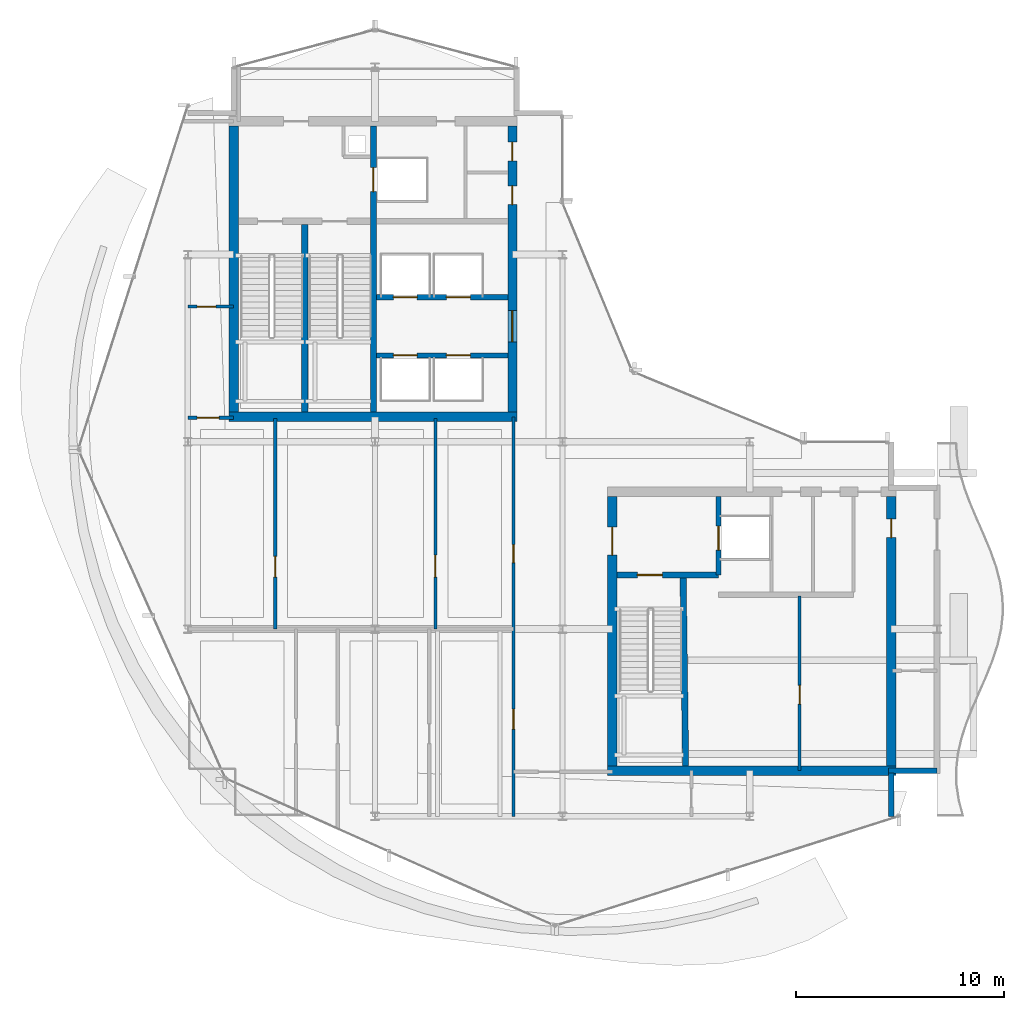
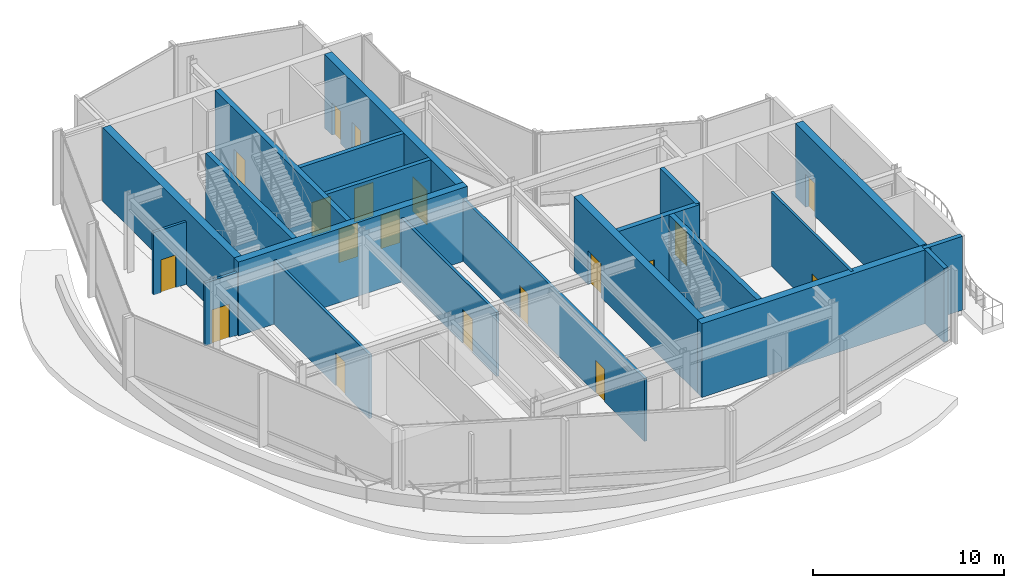
# One storey, part 17 of 23: 21 walls, 19 doors, 19 openings.
"""IFC4 building model written with IfcOpenShell, lengths in metres."""

import ifcopenshell
import ifcopenshell.guid

model = None  # the IFC model being written
_history = None  # IfcOwnerHistory: only IFC2X3 demands one
_inside = {}  # id of a spatial element -> (the spatial element, [elements in it])
_under = {}  # id of a project, library or spatial element -> (it, [spatial elements below it])
_declared = {}  # id of a project -> (the project, [libraries it declares])
_typed = {}  # id of a type object -> (the type object, [elements of that type])
_made_of = {}  # id of a material, layer set ... -> (it, [elements and type objects made of it])


def new_model(schema):
    """Start an empty IFC model of exactly this schema.

    Asked for "IFC4X3", IfcOpenShell would pick the latest addendum, in which some entities
    have other attributes; the version numbers below select the first issue.
    IFC2X3 requires an IfcOwnerHistory on every rooted entity: one is made here for all.
    """
    global model, _history
    if schema == "IFC4X3":
        model = ifcopenshell.file(schema_version=(4, 3, 0, 0))
    else:
        model = ifcopenshell.file(schema=schema)
    _inside.clear()
    _under.clear()
    _declared.clear()
    _typed.clear()
    _made_of.clear()
    _history = None
    if model.schema == "IFC2X3":
        org = make("IfcOrganization", Name="unknown")
        user = make(
            "IfcPersonAndOrganization",
            ThePerson=make("IfcPerson", FamilyName="unknown"),
            TheOrganization=org,
        )
        app = make(
            "IfcApplication",
            ApplicationDeveloper=org,
            Version="unknown",
            ApplicationFullName="unknown",
            ApplicationIdentifier="unknown",
        )
        _history = make(
            "IfcOwnerHistory",
            OwningUser=user,
            OwningApplication=app,
            ChangeAction="ADDED",
            CreationDate=0,
        )
    return model


def make(cls, **values):
    """One entity of the class cls with the attributes given. An attribute that is None is left unset."""
    return model.create_entity(
        cls, **{name: value for name, value in values.items() if value is not None}
    )


def rooted(cls, **values):
    """An entity with a GlobalId (a new one), such as an element, a storey or a relation."""
    return make(cls, GlobalId=ifcopenshell.guid.new(), OwnerHistory=_history, **values)


def si_unit(unit_type, name, prefix=None):
    """IfcSIUnit, for example si_unit("LENGTHUNIT", "METRE", prefix="MILLI")."""
    return make("IfcSIUnit", UnitType=unit_type, Prefix=prefix, Name=name)


def assignment(units):
    """IfcUnitAssignment: the units of a project."""
    return None if units is None else make("IfcUnitAssignment", Units=units)


def point(xyz):
    """IfcCartesianPoint."""
    return None if xyz is None else make("IfcCartesianPoint", Coordinates=xyz)


def direction(xyz):
    """IfcDirection."""
    return None if xyz is None else make("IfcDirection", DirectionRatios=xyz)


def frame(location, z_axis=None, x_axis=None):
    """IfcAxis2Placement3D, a coordinate frame: its origin and axes. An axis left out is left unset."""
    return make(
        "IfcAxis2Placement3D",
        Location=point(location),
        Axis=direction(z_axis),
        RefDirection=direction(x_axis),
    )


def frame_2d(location, x_axis=None):
    """IfcAxis2Placement2D, a coordinate frame in the plane: its origin and x axis."""
    return make(
        "IfcAxis2Placement2D", Location=point(location), RefDirection=direction(x_axis)
    )


def origin():
    """The frame at (0, 0, 0) with its axes left unset."""
    return frame((0.0, 0.0, 0.0))


def place(relative_to, where):
    """IfcLocalPlacement: puts the frame where relative to a parent placement (None: the world)."""
    return make(
        "IfcLocalPlacement", PlacementRelTo=relative_to, RelativePlacement=where
    )


def context(
    kind, dimensions, precision=None, world=None, true_north=None, identifier=None
):
    """IfcGeometricRepresentationContext, for example the 3D "Model" context."""
    return make(
        "IfcGeometricRepresentationContext",
        ContextIdentifier=identifier,
        ContextType=kind,
        CoordinateSpaceDimension=dimensions,
        Precision=precision,
        WorldCoordinateSystem=world,
        TrueNorth=true_north,
    )


def subcontext(parent, identifier, kind, view, scale=None):
    """IfcGeometricRepresentationSubContext, for example "Body" below "Model"."""
    return make(
        "IfcGeometricRepresentationSubContext",
        ContextIdentifier=identifier,
        ContextType=kind,
        ParentContext=parent,
        TargetScale=scale,
        TargetView=view,
    )


def project(units=None, contexts=None):
    """IfcProject with its units and contexts."""
    return rooted(
        "IfcProject",
        Name="project",
        RepresentationContexts=contexts,
        UnitsInContext=assignment(units),
    )


def spatial(cls, under=None, at=None, **own):
    """A site, building, storey or space (cls), placed at a placement, below another one or the project."""
    s = rooted(cls, ObjectPlacement=at, **own)
    if under is not None:
        _under.setdefault(under.id(), (under, []))[1].append(s)
    return s


def profile(cls, at=None, kind="AREA", **sizes):
    """A parametric profile (cls). Its sizes go by their IFC names, for example OverallWidth=200.0."""
    return make(cls, ProfileType=kind, Position=at, **sizes)


def rectangle(**sizes):
    """IfcRectangleProfileDef."""
    return profile("IfcRectangleProfileDef", **sizes)


def extrude(swept, where, along, depth):
    """IfcExtrudedAreaSolid: the profile swept, set in the frame where, extruded along a direction by depth."""
    return make(
        "IfcExtrudedAreaSolid",
        SweptArea=swept,
        Position=where,
        ExtrudedDirection=direction(along),
        Depth=depth,
    )


def shape(context_of_items, identifier, shape_type, items):
    """IfcShapeRepresentation: the items that make up one representation, for example the "Body"."""
    return make(
        "IfcShapeRepresentation",
        ContextOfItems=context_of_items,
        RepresentationIdentifier=identifier,
        RepresentationType=shape_type,
        Items=items,
    )


def material(Name=None, Category=None):
    """IfcMaterial."""
    return make("IfcMaterial", Name=Name, Category=Category)


def layer(
    of_material, thickness, ventilated=None, Name=None, Category=None, Priority=None
):
    """IfcMaterialLayer: one layer of a wall or slab, of a material (None: an air gap)."""
    return make(
        "IfcMaterialLayer",
        Material=of_material,
        LayerThickness=thickness,
        IsVentilated=ventilated,
        Name=Name,
        Category=Category,
        Priority=Priority,
    )


def layer_set(layers, Name=None):
    """IfcMaterialLayerSet."""
    return make("IfcMaterialLayerSet", MaterialLayers=layers, LayerSetName=Name)


def made_of(thing, what):
    """Note that an element or type object is made of a material, layer set ...; save() writes the relation."""
    if what is not None:
        _made_of.setdefault(what.id(), (what, []))[1].append(thing)
    return thing


def type_object(cls, material=None, **own):
    """A type object (cls), such as IfcWallType, which elements share."""
    return made_of(rooted(cls, **own), material)


def element(
    cls,
    number,
    at=None,
    inside=None,
    cuts=None,
    type_object=None,
    material=None,
    context=None,
    identifier="Body",
    shape_type=None,
    held_by="IfcProductDefinitionShape",
    body=None,
    shapes=None,
    **own,
):
    """One element of the class cls, such as IfcWall. Its Tag is "e" and its number.

    at: its placement. inside: the storey or other place that contains it. cuts: it is an
    opening in that element (IfcRelVoidsElement). A single representation is given by context,
    identifier, shape_type and body (its items); several are given by shapes. held_by: the class
    of the entity that holds the representations. save() writes the other relations.
    """
    e = rooted(cls, Tag="e%d" % number, ObjectPlacement=at, **own)
    if body is not None:
        shapes = [shape(context, identifier, shape_type, body)]
    if shapes is not None:
        e.Representation = make(held_by, Representations=shapes)
    if inside is not None:
        _inside.setdefault(inside.id(), (inside, []))[1].append(e)
    if cuts is not None:
        rooted(
            "IfcRelVoidsElement", RelatingBuildingElement=cuts, RelatedOpeningElement=e
        )
    if type_object is not None:
        _typed.setdefault(type_object.id(), (type_object, []))[1].append(e)
    return made_of(e, material)


def fill(opening, filler):
    """IfcRelFillsElement: the door or window that sits in an opening."""
    return rooted(
        "IfcRelFillsElement",
        RelatingOpeningElement=opening,
        RelatedBuildingElement=filler,
    )


def aggregate(whole, parts):
    """IfcRelAggregates: a whole, such as a stair, and the parts it consists of."""
    return rooted("IfcRelAggregates", RelatingObject=whole, RelatedObjects=parts)


def save(model, path):
    """Write the relations noted so far, then the file.

    IfcRelAggregates (storeys below a building ...), IfcRelContainedInSpatialStructure (elements
    in a storey), IfcRelDefinesByType, IfcRelAssociatesMaterial and IfcRelDeclares: one each for
    every whole, place, type object, material and project.
    """
    for whole, parts in _under.values():
        aggregate(whole, parts)
    for where, things in _inside.values():
        rooted(
            "IfcRelContainedInSpatialStructure",
            RelatedElements=things,
            RelatingStructure=where,
        )
    for kind, things in _typed.values():
        rooted("IfcRelDefinesByType", RelatedObjects=things, RelatingType=kind)
    for what, things in _made_of.values():
        rooted("IfcRelAssociatesMaterial", RelatedObjects=things, RelatingMaterial=what)
    for by, libraries in _declared.values():
        rooted("IfcRelDeclares", RelatingContext=by, RelatedDefinitions=libraries)
    model.write(path)


model = new_model("IFC4")

# Units and contexts
model_context = context("Model", 3, precision=1e-05, world=origin(), true_north=direction((0.0, 1.0)))
body_context = subcontext(model_context, "Body", "Model", "MODEL_VIEW")
ifc_project = project(units=[si_unit("LENGTHUNIT", "METRE"), si_unit("AREAUNIT", "SQUARE_METRE"), si_unit("VOLUMEUNIT", "CUBIC_METRE"), si_unit("PLANEANGLEUNIT", "RADIAN"), si_unit("MASSUNIT", "GRAM", prefix="KILO")], contexts=[model_context])

# Site, building, storey
site_placement = place(None, origin())
site = spatial("IfcSite", under=ifc_project, at=site_placement, CompositionType="ELEMENT")
building_placement = place(site_placement, origin())
building = spatial("IfcBuilding", under=site, at=building_placement, Name="Solvaryn Broadcast Tower", CompositionType="ELEMENT")
storey_placement = place(building_placement, frame((0.0, 0.0, 235.800048828125)))
storey = spatial("IfcBuildingStorey", under=building, at=storey_placement, Name="L59", CompositionType="ELEMENT", Elevation=235.800048828125)

# Walls
ifc_material_1 = material(Name="Concrete f'c 70 MPa", Category="concrete")
ifc_layer_1 = layer(ifc_material_1, 0.449951171875)
ifc_layer_set_1 = layer_set([ifc_layer_1], Name="CW-SHEAR-450")
wall_type_1 = type_object("IfcWallType", Name="CW-SHEAR-450", PredefinedType="SHEAR", material=ifc_layer_set_1)
wall_1_placement = place(storey_placement, frame((10.97509765625, 28.199951171875, 0.0), z_axis=(0.0, 0.0, 1.0), x_axis=(1.0, 0.0, 0.0)))
element("IfcWall", 1, at=wall_1_placement, inside=storey, type_object=wall_type_1, Name="L59 West Core South Shear Wall", PredefinedType="SHEAR", context=body_context, shape_type="SweptSolid", body=[
    extrude(rectangle(XDim=13.849853515625, YDim=0.449951171875, at=frame_2d((6.9248046875, 0.0))), origin(), (0.0, 0.0, 1.0), 4.719970703125),
])
wall_2_placement = place(storey_placement, frame((11.199951171875, 42.175048828125, 0.0), z_axis=(0.0, 0.0, 1.0), x_axis=(0.0, -1.0, 0.0)))
element("IfcWall", 2, at=wall_2_placement, inside=storey, type_object=wall_type_1, Name="L59 West Core West Shear Wall", PredefinedType="SHEAR", context=body_context, shape_type="SweptSolid", body=[
    extrude(rectangle(XDim=13.75, YDim=0.449951171875, at=frame_2d((6.875, 0.0))), origin(), (0.0, 0.0, 1.0), 4.719970703125),
])

# Wall, openings, doors
wall_3_placement = place(storey_placement, frame((24.60009765625, 28.425048828125, 0.0), z_axis=(0.0, 0.0, 1.0), x_axis=(0.0, 1.0, 0.0)))
wall_3 = element("IfcWall", 3, at=wall_3_placement, inside=storey, type_object=wall_type_1, Name="L59 West Core East Shear Wall", PredefinedType="SHEAR", context=body_context, shape_type="SweptSolid", body=[
    extrude(rectangle(XDim=13.75, YDim=0.449951171875, at=frame_2d((6.875, 0.0))), origin(), (0.0, 0.0, 1.0), 4.719970703125),
])
opening_1_placement = place(wall_3_placement, frame((3.375, 0.0, 0.0)))
opening_1 = element("IfcOpeningElement", 4, at=opening_1_placement, cuts=wall_3, Name="Opening FD60A", PredefinedType="OPENING", context=body_context, shape_type="SweptSolid", body=[
    extrude(rectangle(XDim=1.5, YDim=2.199951171875, at=frame_2d((0.75, 1.10009765625))), frame((0.0, 0.235107421875, 0.0), z_axis=(0.0, -1.0, 0.0), x_axis=(1.0, 0.0, 0.0)), (0.0, 0.0, 1.0), 0.469970703125),
])
opening_2_placement = place(wall_3_placement, frame((9.97509765625, 0.0, 0.0)))
opening_2 = element("IfcOpeningElement", 5, at=opening_2_placement, cuts=wall_3, Name="Opening FD60C", PredefinedType="OPENING", context=body_context, shape_type="SweptSolid", body=[
    extrude(rectangle(XDim=0.89990234375, YDim=2.10009765625, at=frame_2d((0.449951171875, 1.050048828125))), frame((0.0, 0.235107421875, 0.0), z_axis=(0.0, -1.0, 0.0), x_axis=(1.0, 0.0, 0.0)), (0.0, 0.0, 1.0), 0.469970703125),
])
opening_3_placement = place(wall_3_placement, frame((12.074951171875, 0.0, 0.0)))
opening_3 = element("IfcOpeningElement", 6, at=opening_3_placement, cuts=wall_3, Name="Opening FD60C", PredefinedType="OPENING", context=body_context, shape_type="SweptSolid", body=[
    extrude(rectangle(XDim=0.89990234375, YDim=2.10009765625, at=frame_2d((0.449951171875, 1.050048828125))), frame((0.0, 0.235107421875, 0.0), z_axis=(0.0, -1.0, 0.0), x_axis=(1.0, 0.0, 0.0)), (0.0, 0.0, 1.0), 0.469970703125),
])
ifc_material_2 = material(Name="Flush Acoustic Steel and Timber Door Assembly", Category="steel")
door_type_1 = type_object("IfcDoorType", Name="FD60-CORR-1500X2200", OperationType="NOTDEFINED", PredefinedType="DOOR", material=ifc_material_2)
door_1_placement = place(opening_1_placement, origin())
door_1 = element("IfcDoor", 7, at=door_1_placement, inside=storey, type_object=door_type_1, Name="L59 West Elevator Lobby Corridor Door", OperationType="DOUBLE_DOOR_SINGLE_SWING", OverallHeight=2.199951171875, OverallWidth=1.5, PredefinedType="DOOR", context=body_context, shape_type="SweptSolid", body=[
    extrude(rectangle(XDim=1.5, YDim=2.199951171875, at=frame_2d((0.75, 1.10009765625))), frame((0.0, 0.02490234375, 0.0), z_axis=(0.0, -1.0, 0.0), x_axis=(1.0, 0.0, 0.0)), (0.0, 0.0, 1.0), 0.050048828125),
])
fill(opening_1, door_1)
ifc_material_3 = material(Name="Flush Acoustic Steel and Timber Door Assembly", Category="steel")
door_type_2 = type_object("IfcDoorType", Name="FD60-SERV-900X2100", OperationType="NOTDEFINED", PredefinedType="DOOR", material=ifc_material_3)
door_2_placement = place(opening_2_placement, origin())
door_2 = element("IfcDoor", 8, at=door_2_placement, inside=storey, type_object=door_type_2, Name="L59 West Core Service Door 1", OperationType="SINGLE_SWING_LEFT", OverallHeight=2.10009765625, OverallWidth=0.89990234375, PredefinedType="DOOR", context=body_context, shape_type="SweptSolid", body=[
    extrude(rectangle(XDim=0.89990234375, YDim=2.10009765625, at=frame_2d((0.449951171875, 1.050048828125))), frame((0.0, 0.02490234375, 0.0), z_axis=(0.0, -1.0, 0.0), x_axis=(1.0, 0.0, 0.0)), (0.0, 0.0, 1.0), 0.050048828125),
])
fill(opening_2, door_2)
door_3_placement = place(opening_3_placement, origin())
door_3 = element("IfcDoor", 9, at=door_3_placement, inside=storey, type_object=door_type_2, Name="L59 West Core Janitor Door", OperationType="SINGLE_SWING_RIGHT", OverallHeight=2.10009765625, OverallWidth=0.89990234375, PredefinedType="DOOR", context=body_context, shape_type="SweptSolid", body=[
    extrude(rectangle(XDim=0.89990234375, YDim=2.10009765625, at=frame_2d((0.449951171875, 1.050048828125))), frame((0.0, 0.02490234375, 0.0), z_axis=(0.0, -1.0, 0.0), x_axis=(1.0, 0.0, 0.0)), (0.0, 0.0, 1.0), 0.050048828125),
])
fill(opening_3, door_3)

# Wall
wall_4_placement = place(storey_placement, frame((29.175048828125, 11.199951171875, 0.0), z_axis=(0.0, 0.0, 1.0), x_axis=(1.0, 0.0, 0.0)))
element("IfcWall", 10, at=wall_4_placement, inside=storey, type_object=wall_type_1, Name="L59 East Core South Shear Wall", PredefinedType="SHEAR", context=body_context, shape_type="SweptSolid", body=[
    extrude(rectangle(XDim=13.849853515625, YDim=0.449951171875, at=frame_2d((6.9248046875, 0.0))), origin(), (0.0, 0.0, 1.0), 4.719970703125),
])

# Wall, opening, door
wall_5_placement = place(storey_placement, frame((29.39990234375, 24.375, 0.0), z_axis=(0.0, 0.0, 1.0), x_axis=(0.0, -1.0, 0.0)))
wall_5 = element("IfcWall", 11, at=wall_5_placement, inside=storey, type_object=wall_type_1, Name="L59 East Core West Shear Wall", PredefinedType="SHEAR", context=body_context, shape_type="SweptSolid", body=[
    extrude(rectangle(XDim=12.949951171875, YDim=0.449951171875, at=frame_2d((6.47509765625, 0.0))), origin(), (0.0, 0.0, 1.0), 4.719970703125),
])
opening_4_placement = place(wall_5_placement, frame((1.47509765625, 0.0, 0.0)))
opening_4 = element("IfcOpeningElement", 12, at=opening_4_placement, cuts=wall_5, Name="Opening FD90B", PredefinedType="OPENING", context=body_context, shape_type="SweptSolid", body=[
    extrude(rectangle(XDim=1.35009765625, YDim=2.14990234375, at=frame_2d((0.675048828125, 1.074951171875))), frame((0.0, 0.235107421875, 0.0), z_axis=(0.0, -1.0, 0.0), x_axis=(1.0, 0.0, 0.0)), (0.0, 0.0, 1.0), 0.469970703125),
])
ifc_material_4 = material(Name="Flush Acoustic Steel and Timber Door Assembly", Category="steel")
door_type_3 = type_object("IfcDoorType", Name="FD90-LOBBY-1350X2150", OperationType="NOTDEFINED", PredefinedType="DOOR", material=ifc_material_4)
door_4_placement = place(opening_4_placement, origin())
door_4 = element("IfcDoor", 13, at=door_4_placement, inside=storey, type_object=door_type_3, Name="L59 East FSAE Lobby Door", OperationType="SINGLE_SWING_RIGHT", OverallHeight=2.14990234375, OverallWidth=1.35009765625, PredefinedType="DOOR", context=body_context, shape_type="SweptSolid", body=[
    extrude(rectangle(XDim=1.35009765625, YDim=2.14990234375, at=frame_2d((0.675048828125, 1.074951171875))), frame((0.0, 0.02490234375, 0.0), z_axis=(0.0, -1.0, 0.0), x_axis=(1.0, 0.0, 0.0)), (0.0, 0.0, 1.0), 0.050048828125),
])
fill(opening_4, door_4)

wall_6_placement = place(storey_placement, frame((42.800048828125, 11.425048828125, 0.0), z_axis=(0.0, 0.0, 1.0), x_axis=(0.0, 1.0, 0.0)))
wall_6 = element("IfcWall", 14, at=wall_6_placement, inside=storey, type_object=wall_type_1, Name="L59 East Core East Shear Wall", PredefinedType="SHEAR", context=body_context, shape_type="SweptSolid", body=[
    extrude(rectangle(XDim=12.949951171875, YDim=0.449951171875, at=frame_2d((6.47509765625, 0.0))), origin(), (0.0, 0.0, 1.0), 4.719970703125),
])
opening_5_placement = place(wall_6_placement, frame((10.97509765625, 0.0, 0.0)))
opening_5 = element("IfcOpeningElement", 15, at=opening_5_placement, cuts=wall_6, Name="Opening FD60C", PredefinedType="OPENING", context=body_context, shape_type="SweptSolid", body=[
    extrude(rectangle(XDim=0.89990234375, YDim=2.10009765625, at=frame_2d((0.449951171875, 1.050048828125))), frame((0.0, 0.235107421875, 0.0), z_axis=(0.0, -1.0, 0.0), x_axis=(1.0, 0.0, 0.0)), (0.0, 0.0, 1.0), 0.469970703125),
])
door_5_placement = place(opening_5_placement, origin())
door_5 = element("IfcDoor", 16, at=door_5_placement, inside=storey, type_object=door_type_2, Name="L59 Upper East Studio Door", OperationType="SINGLE_SWING_RIGHT", OverallHeight=2.10009765625, OverallWidth=0.89990234375, PredefinedType="DOOR", context=body_context, shape_type="SweptSolid", body=[
    extrude(rectangle(XDim=0.89990234375, YDim=2.10009765625, at=frame_2d((0.449951171875, 1.050048828125))), frame((0.0, 0.02490234375, 0.0), z_axis=(0.0, -1.0, 0.0), x_axis=(1.0, 0.0, 0.0)), (0.0, 0.0, 1.0), 0.050048828125),
])
fill(opening_5, door_5)

# Walls
ifc_material_5 = material(Name="Concrete f'c 50 MPa", Category="concrete")
ifc_layer_2 = layer(ifc_material_5, 0.260009765625)
ifc_layer_set_2 = layer_set([ifc_layer_2], Name="EW-PIER-260")
wall_type_2 = type_object("IfcWallType", Name="EW-PIER-260", PredefinedType="SOLIDWALL", material=ifc_layer_set_2)
wall_7_placement = place(storey_placement, frame((42.800048828125, 9.0, 0.0), z_axis=(0.0, 0.0, 1.0), x_axis=(0.0, 1.0, 0.0)))
element("IfcWall", 17, at=wall_7_placement, inside=storey, type_object=wall_type_2, Name="L59 Notched Corner Pier Wall NSE1", PredefinedType="SOLIDWALL", context=body_context, shape_type="SweptSolid", body=[
    extrude(rectangle(XDim=2.080078125, YDim=0.260009765625, at=frame_2d((1.0400390625, 0.0))), origin(), (0.0, 0.0, 1.0), 4.719970703125),
])
wall_8_placement = place(storey_placement, frame((42.679931640625, 11.199951171875, 0.0), z_axis=(0.0, 0.0, 1.0), x_axis=(1.0, 0.0, 0.0)))
element("IfcWall", 18, at=wall_8_placement, inside=storey, type_object=wall_type_2, Name="L59 Notched Corner Pier Wall NSE2", PredefinedType="SOLIDWALL", context=body_context, shape_type="SweptSolid", body=[
    extrude(rectangle(XDim=2.320068359375, YDim=0.260009765625, at=frame_2d((1.16015625, 0.0))), origin(), (0.0, 0.0, 1.0), 4.719970703125),
])

# Wall, opening, door
ifc_material_6 = material(Name="Metal-Stud Service Core Partition")
ifc_layer_3 = layer(ifc_material_6, 0.14990234375)
ifc_layer_set_3 = layer_set([ifc_layer_3], Name="IW-PART-150")
wall_type_3 = type_object("IfcWallType", Name="IW-PART-150", PredefinedType="PARTITIONING", material=ifc_layer_set_3)
wall_9_placement = place(storey_placement, frame((38.39990234375, 11.199951171875, 0.0), z_axis=(0.0, 0.0, 1.0), x_axis=(0.0, 1.0, 0.0)))
wall_9 = element("IfcWall", 19, at=wall_9_placement, inside=storey, type_object=wall_type_3, Name="L59 Interior Partition IW-L59-RPM-V", PredefinedType="PARTITIONING", context=body_context, shape_type="SweptSolid", body=[
    extrude(rectangle(XDim=8.400146484375, YDim=0.14990234375, at=frame_2d((4.2001953125, 0.0))), origin(), (0.0, 0.0, 1.0), 4.719970703125),
])
opening_6_placement = place(wall_9_placement, frame((3.199951171875, 0.0, 0.0)))
opening_6 = element("IfcOpeningElement", 20, at=opening_6_placement, cuts=wall_9, Name="Opening FD60C", PredefinedType="OPENING", context=body_context, shape_type="SweptSolid", body=[
    extrude(rectangle(XDim=0.89990234375, YDim=2.10009765625, at=frame_2d((0.449951171875, 1.050048828125))), frame((0.0, 0.0849609375, 0.0), z_axis=(0.0, -1.0, 0.0), x_axis=(1.0, 0.0, 0.0)), (0.0, 0.0, 1.0), 0.169921875),
])
door_6_placement = place(opening_6_placement, origin())
door_6 = element("IfcDoor", 21, at=door_6_placement, inside=storey, type_object=door_type_2, Name="L59 Door DR-L59-RPM1", OperationType="SINGLE_SWING_RIGHT", OverallHeight=2.10009765625, OverallWidth=0.89990234375, PredefinedType="DOOR", context=body_context, shape_type="SweptSolid", body=[
    extrude(rectangle(XDim=0.89990234375, YDim=2.10009765625, at=frame_2d((0.449951171875, 1.050048828125))), frame((0.0, 0.02490234375, 0.0), z_axis=(0.0, -1.0, 0.0), x_axis=(1.0, 0.0, 0.0)), (0.0, 0.0, 1.0), 0.050048828125),
])
fill(opening_6, door_6)

wall_10_placement = place(storey_placement, frame((9.0, 33.5, 0.0), z_axis=(0.0, 0.0, 1.0), x_axis=(1.0, 0.0, 0.0)))
wall_10 = element("IfcWall", 22, at=wall_10_placement, inside=storey, type_object=wall_type_3, Name="L59 Interior Partition IW-L59-WM-M", PredefinedType="PARTITIONING", context=body_context, shape_type="SweptSolid", body=[
    extrude(rectangle(XDim=2.199951171875, YDim=0.14990234375, at=frame_2d((1.10009765625, 0.0))), origin(), (0.0, 0.0, 1.0), 4.0068359375),
])
opening_7_placement = place(wall_10_placement, frame((0.449951171875, 0.0, 0.0)))
opening_7 = element("IfcOpeningElement", 23, at=opening_7_placement, cuts=wall_10, Name="Opening FD60C", PredefinedType="OPENING", context=body_context, shape_type="SweptSolid", body=[
    extrude(rectangle(XDim=0.89990234375, YDim=2.10009765625, at=frame_2d((0.449951171875, 1.050048828125))), frame((0.0, 0.0849609375, 0.0), z_axis=(0.0, -1.0, 0.0), x_axis=(1.0, 0.0, 0.0)), (0.0, 0.0, 1.0), 0.169921875),
])
door_7_placement = place(opening_7_placement, origin())
door_7 = element("IfcDoor", 24, at=door_7_placement, inside=storey, type_object=door_type_2, Name="L59 Door DR-L59-WM1", OperationType="SINGLE_SWING_RIGHT", OverallHeight=2.10009765625, OverallWidth=0.89990234375, PredefinedType="DOOR", context=body_context, shape_type="SweptSolid", body=[
    extrude(rectangle(XDim=0.89990234375, YDim=2.10009765625, at=frame_2d((0.449951171875, 1.050048828125))), frame((0.0, 0.02490234375, 0.0), z_axis=(0.0, -1.0, 0.0), x_axis=(1.0, 0.0, 0.0)), (0.0, 0.0, 1.0), 0.050048828125),
])
fill(opening_7, door_7)

ifc_material_7 = material(Name="Metal-Stud Gypsum Office Partition")
ifc_layer_4 = layer(ifc_material_7, 0.159912109375)
ifc_layer_set_4 = layer_set([ifc_layer_4], Name="IW-PART-160")
wall_type_4 = type_object("IfcWallType", Name="IW-PART-160", PredefinedType="PARTITIONING", material=ifc_layer_set_4)
wall_11_placement = place(storey_placement, frame((9.0, 28.14990234375, 0.0), z_axis=(0.0, 0.0, 1.0), x_axis=(1.0, 0.0, 0.0)))
wall_11 = element("IfcWall", 25, at=wall_11_placement, inside=storey, type_object=wall_type_4, Name="L59 Interior Partition IW-L59-WM-S", PredefinedType="PARTITIONING", context=body_context, shape_type="SweptSolid", body=[
    extrude(rectangle(XDim=2.199951171875, YDim=0.159912109375, at=frame_2d((1.10009765625, 0.0))), origin(), (0.0, 0.0, 1.0), 4.0068359375),
])
opening_8_placement = place(wall_11_placement, frame((0.449951171875, 0.0, 0.0)))
opening_8 = element("IfcOpeningElement", 26, at=opening_8_placement, cuts=wall_11, Name="Opening ID03", PredefinedType="OPENING", context=body_context, shape_type="SweptSolid", body=[
    extrude(rectangle(XDim=1.050048828125, YDim=2.14990234375, at=frame_2d((0.52490234375, 1.074951171875))), frame((0.0, 0.090087890625, 0.0), z_axis=(0.0, -1.0, 0.0), x_axis=(1.0, 0.0, 0.0)), (0.0, 0.0, 1.0), 0.179931640625),
])
ifc_material_8 = material(Name="Flush Acoustic Steel and Timber Door Assembly", Category="steel")
door_type_4 = type_object("IfcDoorType", Name="ID-03-1050X2150", OperationType="NOTDEFINED", PredefinedType="DOOR", material=ifc_material_8)
door_8_placement = place(opening_8_placement, origin())
door_8 = element("IfcDoor", 27, at=door_8_placement, inside=storey, type_object=door_type_4, Name="L59 Door DR-L59-WM0", OperationType="SINGLE_SWING_LEFT", OverallHeight=2.14990234375, OverallWidth=1.050048828125, PredefinedType="DOOR", context=body_context, shape_type="SweptSolid", body=[
    extrude(rectangle(XDim=1.050048828125, YDim=2.14990234375, at=frame_2d((0.52490234375, 1.074951171875))), frame((0.0, 0.02490234375, 0.0), z_axis=(0.0, -1.0, 0.0), x_axis=(1.0, 0.0, 0.0)), (0.0, 0.0, 1.0), 0.050048828125),
])
fill(opening_8, door_8)

# Wall, openings, doors
wall_12_placement = place(storey_placement, frame((24.64990234375, 9.0, 0.0), z_axis=(0.0, 0.0, 1.0), x_axis=(0.0, 1.0, 0.0)))
wall_12 = element("IfcWall", 28, at=wall_12_placement, inside=storey, type_object=wall_type_4, Name="L59 Interior Partition IW-L59-SW-EB", PredefinedType="PARTITIONING", context=body_context, shape_type="SweptSolid", body=[
    extrude(rectangle(XDim=19.199951171875, YDim=0.159912109375, at=frame_2d((9.60009765625, 0.0))), origin(), (0.0, 0.0, 1.0), 4.0068359375),
])
opening_9_placement = place(wall_12_placement, frame((12.199951171875, 0.0, 0.0)))
opening_9 = element("IfcOpeningElement", 29, at=opening_9_placement, cuts=wall_12, Name="Opening ID07", PredefinedType="OPENING", context=body_context, shape_type="SweptSolid", body=[
    extrude(rectangle(XDim=0.860107421875, YDim=2.050048828125, at=frame_2d((0.43017578125, 1.02490234375))), frame((0.0, 0.090087890625, 0.0), z_axis=(0.0, -1.0, 0.0), x_axis=(1.0, 0.0, 0.0)), (0.0, 0.0, 1.0), 0.179931640625),
])
opening_10_placement = place(wall_12_placement, frame((4.199951171875, 0.0, 0.0)))
opening_10 = element("IfcOpeningElement", 30, at=opening_10_placement, cuts=wall_12, Name="Opening ID01", PredefinedType="OPENING", context=body_context, shape_type="SweptSolid", body=[
    extrude(rectangle(XDim=0.949951171875, YDim=2.10009765625, at=frame_2d((0.47509765625, 1.050048828125))), frame((0.0, 0.090087890625, 0.0), z_axis=(0.0, -1.0, 0.0), x_axis=(1.0, 0.0, 0.0)), (0.0, 0.0, 1.0), 0.179931640625),
])
ifc_material_9 = material(Name="Flush Acoustic Steel and Timber Door Assembly", Category="steel")
door_type_5 = type_object("IfcDoorType", Name="ID-01-950X2100", OperationType="NOTDEFINED", PredefinedType="DOOR", material=ifc_material_9)
door_9_placement = place(opening_10_placement, origin())
door_9 = element("IfcDoor", 31, at=door_9_placement, inside=storey, type_object=door_type_5, Name="L59 Door DR-L59-SW-ES", OperationType="SINGLE_SWING_RIGHT", OverallHeight=2.10009765625, OverallWidth=0.949951171875, PredefinedType="DOOR", context=body_context, shape_type="SweptSolid", body=[
    extrude(rectangle(XDim=0.949951171875, YDim=2.10009765625, at=frame_2d((0.47509765625, 1.050048828125))), frame((0.0, 0.02490234375, 0.0), z_axis=(0.0, -1.0, 0.0), x_axis=(1.0, 0.0, 0.0)), (0.0, 0.0, 1.0), 0.050048828125),
])
fill(opening_10, door_9)
ifc_material_10 = material(Name="Flush Acoustic Steel and Timber Door Assembly", Category="steel")
door_type_6 = type_object("IfcDoorType", Name="ID-07-860X2050", OperationType="NOTDEFINED", PredefinedType="DOOR", material=ifc_material_10)
door_10_placement = place(opening_9_placement, origin())
door_10 = element("IfcDoor", 32, at=door_10_placement, inside=storey, type_object=door_type_6, Name="L59 Door DR-L59-SW-EN", OperationType="SINGLE_SWING_LEFT", OverallHeight=2.050048828125, OverallWidth=0.860107421875, PredefinedType="DOOR", context=body_context, shape_type="SweptSolid", body=[
    extrude(rectangle(XDim=0.860107421875, YDim=2.050048828125, at=frame_2d((0.43017578125, 1.02490234375))), frame((0.0, 0.02490234375, 0.0), z_axis=(0.0, -1.0, 0.0), x_axis=(1.0, 0.0, 0.0)), (0.0, 0.0, 1.0), 0.050048828125),
])
fill(opening_9, door_10)

# Wall, opening, door
wall_13_placement = place(storey_placement, frame((13.199951171875, 18.0, 0.0), z_axis=(0.0, 0.0, 1.0), x_axis=(0.0, 1.0, 0.0)))
wall_13 = element("IfcWall", 33, at=wall_13_placement, inside=storey, type_object=wall_type_4, Name="L59 Interior Partition IW-L59-SWN-V1", PredefinedType="PARTITIONING", context=body_context, shape_type="SweptSolid", body=[
    extrude(rectangle(XDim=10.1298828125, YDim=0.159912109375, at=frame_2d((5.06494140625, 0.0))), origin(), (0.0, 0.0, 1.0), 4.0888671875),
])
opening_11_placement = place(wall_13_placement, frame((2.5, 0.0, 0.0)))
opening_11 = element("IfcOpeningElement", 34, at=opening_11_placement, cuts=wall_13, Name="Opening ID02", PredefinedType="OPENING", context=body_context, shape_type="SweptSolid", body=[
    extrude(rectangle(XDim=1.0, YDim=2.10009765625, at=frame_2d((0.5, 1.050048828125))), frame((0.0, 0.090087890625, 0.0), z_axis=(0.0, -1.0, 0.0), x_axis=(1.0, 0.0, 0.0)), (0.0, 0.0, 1.0), 0.179931640625),
])
ifc_material_11 = material(Name="Flush Acoustic Steel and Timber Door Assembly", Category="steel")
door_type_7 = type_object("IfcDoorType", Name="ID-02-1000X2100", OperationType="NOTDEFINED", PredefinedType="DOOR", material=ifc_material_11)
door_11_placement = place(opening_11_placement, origin())
door_11 = element("IfcDoor", 35, at=door_11_placement, inside=storey, type_object=door_type_7, Name="L59 Door DR-L59-SWN-1", OperationType="SINGLE_SWING_LEFT", OverallHeight=2.10009765625, OverallWidth=1.0, PredefinedType="DOOR", context=body_context, shape_type="SweptSolid", body=[
    extrude(rectangle(XDim=1.0, YDim=2.10009765625, at=frame_2d((0.5, 1.050048828125))), frame((0.0, 0.02490234375, 0.0), z_axis=(0.0, -1.0, 0.0), x_axis=(1.0, 0.0, 0.0)), (0.0, 0.0, 1.0), 0.050048828125),
])
fill(opening_11, door_11)

wall_14_placement = place(storey_placement, frame((20.89990234375, 18.0, 0.0), z_axis=(0.0, 0.0, 1.0), x_axis=(0.0, 1.0, 0.0)))
wall_14 = element("IfcWall", 36, at=wall_14_placement, inside=storey, type_object=wall_type_4, Name="L59 Interior Partition IW-L59-SWN-V2", PredefinedType="PARTITIONING", context=body_context, shape_type="SweptSolid", body=[
    extrude(rectangle(XDim=10.1298828125, YDim=0.159912109375, at=frame_2d((5.06494140625, 0.0))), origin(), (0.0, 0.0, 1.0), 4.0888671875),
])
opening_12_placement = place(wall_14_placement, frame((2.5, 0.0, 0.0)))
opening_12 = element("IfcOpeningElement", 37, at=opening_12_placement, cuts=wall_14, Name="Opening ID03", PredefinedType="OPENING", context=body_context, shape_type="SweptSolid", body=[
    extrude(rectangle(XDim=1.050048828125, YDim=2.14990234375, at=frame_2d((0.52490234375, 1.074951171875))), frame((0.0, 0.090087890625, 0.0), z_axis=(0.0, -1.0, 0.0), x_axis=(1.0, 0.0, 0.0)), (0.0, 0.0, 1.0), 0.179931640625),
])
door_12_placement = place(opening_12_placement, origin())
door_12 = element("IfcDoor", 38, at=door_12_placement, inside=storey, type_object=door_type_4, Name="L59 Door DR-L59-SWN-2", OperationType="SINGLE_SWING_RIGHT", OverallHeight=2.14990234375, OverallWidth=1.050048828125, PredefinedType="DOOR", context=body_context, shape_type="SweptSolid", body=[
    extrude(rectangle(XDim=1.050048828125, YDim=2.14990234375, at=frame_2d((0.52490234375, 1.074951171875))), frame((0.0, 0.02490234375, 0.0), z_axis=(0.0, -1.0, 0.0), x_axis=(1.0, 0.0, 0.0)), (0.0, 0.0, 1.0), 0.050048828125),
])
fill(opening_12, door_12)

# Wall, openings, doors
ifc_material_12 = material(Name="Concrete f'c 60 MPa", Category="concrete")
ifc_layer_5 = layer(ifc_material_12, 0.25)
ifc_layer_set_5 = layer_set([ifc_layer_5], Name="SW-SHAFT-250")
wall_type_5 = type_object("IfcWallType", Name="SW-SHAFT-250", PredefinedType="PARTITIONING", material=ifc_layer_set_5)
wall_15_placement = place(storey_placement, frame((18.070068359375, 31.14990234375, 0.0), z_axis=(0.0, 0.0, 1.0), x_axis=(1.0, 0.0, 0.0)))
wall_15 = element("IfcWall", 39, at=wall_15_placement, inside=storey, type_object=wall_type_5, Name="L59 High-Rise Lift Bank South Wall", PredefinedType="PARTITIONING", context=body_context, shape_type="SweptSolid", body=[
    extrude(rectangle(XDim=6.304931640625, YDim=0.25, at=frame_2d((3.15234375, 0.0))), origin(), (0.0, 0.0, 1.0), 4.719970703125),
])
opening_13_placement = place(wall_15_placement, frame((0.804931640625, 0.0, 0.0)))
opening_13 = element("IfcOpeningElement", 40, at=opening_13_placement, cuts=wall_15, Name="Opening LD01", PredefinedType="OPENING", context=body_context, shape_type="SweptSolid", body=[
    extrude(rectangle(XDim=1.14990234375, YDim=2.14990234375, at=frame_2d((0.574951171875, 1.074951171875))), frame((0.0, 0.135009765625, 0.0), z_axis=(0.0, -1.0, 0.0), x_axis=(1.0, 0.0, 0.0)), (0.0, 0.0, 1.0), 0.27001953125),
])
opening_14_placement = place(wall_15_placement, frame((3.35498046875, 0.0, 0.0)))
opening_14 = element("IfcOpeningElement", 41, at=opening_14_placement, cuts=wall_15, Name="Opening LD01", PredefinedType="OPENING", context=body_context, shape_type="SweptSolid", body=[
    extrude(rectangle(XDim=1.14990234375, YDim=2.14990234375, at=frame_2d((0.574951171875, 1.074951171875))), frame((0.0, 0.135009765625, 0.0), z_axis=(0.0, -1.0, 0.0), x_axis=(1.0, 0.0, 0.0)), (0.0, 0.0, 1.0), 0.27001953125),
])
ifc_material_13 = material(Name="Flush Acoustic Steel and Timber Door Assembly", Category="steel")
door_type_8 = type_object("IfcDoorType", Name="LD-LIFT-1150X2150", OperationType="NOTDEFINED", PredefinedType="DOOR", material=ifc_material_13)
door_13_placement = place(opening_13_placement, origin())
door_13 = element("IfcDoor", 42, at=door_13_placement, inside=storey, type_object=door_type_8, Name="L59 PH1 Lift Landing Door", OperationType="DOUBLE_DOOR_SLIDING", OverallHeight=2.14990234375, OverallWidth=1.14990234375, PredefinedType="DOOR", context=body_context, shape_type="SweptSolid", body=[
    extrude(rectangle(XDim=1.14990234375, YDim=2.14990234375, at=frame_2d((0.574951171875, 1.074951171875))), frame((0.0, 0.02490234375, 0.0), z_axis=(0.0, -1.0, 0.0), x_axis=(1.0, 0.0, 0.0)), (0.0, 0.0, 1.0), 0.050048828125),
])
fill(opening_13, door_13)
door_14_placement = place(opening_14_placement, origin())
door_14 = element("IfcDoor", 43, at=door_14_placement, inside=storey, type_object=door_type_8, Name="L59 PH2 Lift Landing Door", OperationType="DOUBLE_DOOR_SLIDING", OverallHeight=2.14990234375, OverallWidth=1.14990234375, PredefinedType="DOOR", context=body_context, shape_type="SweptSolid", body=[
    extrude(rectangle(XDim=1.14990234375, YDim=2.14990234375, at=frame_2d((0.574951171875, 1.074951171875))), frame((0.0, 0.02490234375, 0.0), z_axis=(0.0, -1.0, 0.0), x_axis=(1.0, 0.0, 0.0)), (0.0, 0.0, 1.0), 0.050048828125),
])
fill(opening_14, door_14)

wall_16_placement = place(storey_placement, frame((24.375, 33.949951171875, 0.0), z_axis=(0.0, 0.0, 1.0), x_axis=(-1.0, 0.0, 0.0)))
wall_16 = element("IfcWall", 44, at=wall_16_placement, inside=storey, type_object=wall_type_5, Name="L59 High-Rise Lift Bank North Wall", PredefinedType="PARTITIONING", context=body_context, shape_type="SweptSolid", body=[
    extrude(rectangle(XDim=6.304931640625, YDim=0.25, at=frame_2d((3.15234375, 0.0))), origin(), (0.0, 0.0, 1.0), 4.719970703125),
])
opening_15_placement = place(wall_16_placement, frame((4.35009765625, 0.0, 0.0)))
opening_15 = element("IfcOpeningElement", 45, at=opening_15_placement, cuts=wall_16, Name="Opening LD01", PredefinedType="OPENING", context=body_context, shape_type="SweptSolid", body=[
    extrude(rectangle(XDim=1.14990234375, YDim=2.14990234375, at=frame_2d((0.574951171875, 1.074951171875))), frame((0.0, 0.135009765625, 0.0), z_axis=(0.0, -1.0, 0.0), x_axis=(1.0, 0.0, 0.0)), (0.0, 0.0, 1.0), 0.27001953125),
])
opening_16_placement = place(wall_16_placement, frame((1.800048828125, 0.0, 0.0)))
opening_16 = element("IfcOpeningElement", 46, at=opening_16_placement, cuts=wall_16, Name="Opening LD01", PredefinedType="OPENING", context=body_context, shape_type="SweptSolid", body=[
    extrude(rectangle(XDim=1.14990234375, YDim=2.14990234375, at=frame_2d((0.574951171875, 1.074951171875))), frame((0.0, 0.135009765625, 0.0), z_axis=(0.0, -1.0, 0.0), x_axis=(1.0, 0.0, 0.0)), (0.0, 0.0, 1.0), 0.27001953125),
])
door_15_placement = place(opening_15_placement, origin())
door_15 = element("IfcDoor", 47, at=door_15_placement, inside=storey, type_object=door_type_8, Name="L59 PH3 Lift Landing Door", OperationType="DOUBLE_DOOR_SLIDING", OverallHeight=2.14990234375, OverallWidth=1.14990234375, PredefinedType="DOOR", context=body_context, shape_type="SweptSolid", body=[
    extrude(rectangle(XDim=1.14990234375, YDim=2.14990234375, at=frame_2d((0.574951171875, 1.074951171875))), frame((0.0, 0.02490234375, 0.0), z_axis=(0.0, -1.0, 0.0), x_axis=(1.0, 0.0, 0.0)), (0.0, 0.0, 1.0), 0.050048828125),
])
fill(opening_15, door_15)
door_16_placement = place(opening_16_placement, origin())
door_16 = element("IfcDoor", 48, at=door_16_placement, inside=storey, type_object=door_type_8, Name="L59 PH4 Lift Landing Door", OperationType="DOUBLE_DOOR_SLIDING", OverallHeight=2.14990234375, OverallWidth=1.14990234375, PredefinedType="DOOR", context=body_context, shape_type="SweptSolid", body=[
    extrude(rectangle(XDim=1.14990234375, YDim=2.14990234375, at=frame_2d((0.574951171875, 1.074951171875))), frame((0.0, 0.02490234375, 0.0), z_axis=(0.0, -1.0, 0.0), x_axis=(1.0, 0.0, 0.0)), (0.0, 0.0, 1.0), 0.050048828125),
])
fill(opening_16, door_16)

# Wall, opening, door
wall_17_placement = place(storey_placement, frame((34.5, 20.60009765625, 0.0), z_axis=(0.0, 0.0, 1.0), x_axis=(0.0, 1.0, 0.0)))
wall_17 = element("IfcWall", 49, at=wall_17_placement, inside=storey, type_object=wall_type_5, Name="L59 East FSAE Lobby East Wall", PredefinedType="PARTITIONING", context=body_context, shape_type="SweptSolid", body=[
    extrude(rectangle(XDim=3.77490234375, YDim=0.25, at=frame_2d((1.887451171875, 0.0))), origin(), (0.0, 0.0, 1.0), 4.719970703125),
])
opening_17_placement = place(wall_17_placement, frame((1.199951171875, 0.0, 0.0)))
opening_17 = element("IfcOpeningElement", 50, at=opening_17_placement, cuts=wall_17, Name="Opening LD01", PredefinedType="OPENING", context=body_context, shape_type="SweptSolid", body=[
    extrude(rectangle(XDim=1.14990234375, YDim=2.14990234375, at=frame_2d((0.574951171875, 1.074951171875))), frame((0.0, 0.135009765625, 0.0), z_axis=(0.0, -1.0, 0.0), x_axis=(1.0, 0.0, 0.0)), (0.0, 0.0, 1.0), 0.27001953125),
])
door_17_placement = place(opening_17_placement, origin())
door_17 = element("IfcDoor", 51, at=door_17_placement, inside=storey, type_object=door_type_8, Name="L59 FL2 Lift Landing Door", OperationType="DOUBLE_DOOR_SLIDING", OverallHeight=2.14990234375, OverallWidth=1.14990234375, PredefinedType="DOOR", context=body_context, shape_type="SweptSolid", body=[
    extrude(rectangle(XDim=1.14990234375, YDim=2.14990234375, at=frame_2d((0.574951171875, 1.074951171875))), frame((0.0, 0.02490234375, 0.0), z_axis=(0.0, -1.0, 0.0), x_axis=(1.0, 0.0, 0.0)), (0.0, 0.0, 1.0), 0.050048828125),
])
fill(opening_17, door_17)

# Wall
ifc_material_14 = material(Name="Concrete f'c 70 MPa", Category="concrete")
ifc_layer_6 = layer(ifc_material_14, 0.300048828125)
ifc_layer_set_6 = layer_set([ifc_layer_6], Name="SW-SHAFT-300")
wall_type_6 = type_object("IfcWallType", Name="SW-SHAFT-300", PredefinedType="SHEAR", material=ifc_layer_set_6)
wall_18_placement = place(storey_placement, frame((14.6201171875, 28.425048828125, 0.0), z_axis=(0.0, 0.0, 1.0), x_axis=(0.0, 1.0, 0.0)))
element("IfcWall", 52, at=wall_18_placement, inside=storey, type_object=wall_type_6, Name="L59 Stair 1-2 Dividing Wall", PredefinedType="SHEAR", context=body_context, shape_type="SweptSolid", body=[
    extrude(rectangle(XDim=9.02490234375, YDim=0.300048828125, at=frame_2d((4.512451171875, 0.0))), origin(), (0.0, 0.0, 1.0), 4.719970703125),
])

# Wall, opening, door
wall_19_placement = place(storey_placement, frame((17.919921875, 42.175048828125, 0.0), z_axis=(0.0, 0.0, 1.0), x_axis=(0.0, -1.0, 0.0)))
wall_19 = element("IfcWall", 53, at=wall_19_placement, inside=storey, type_object=wall_type_6, Name="L59 West Core Stair-Lobby Shear Wall", PredefinedType="SHEAR", context=body_context, shape_type="SweptSolid", body=[
    extrude(rectangle(XDim=13.75, YDim=0.300048828125, at=frame_2d((6.875, 0.0))), origin(), (0.0, 0.0, 1.0), 4.719970703125),
])
opening_18_placement = place(wall_19_placement, frame((2.0, 0.0, 0.0)))
opening_18 = element("IfcOpeningElement", 54, at=opening_18_placement, cuts=wall_19, Name="Opening LD01", PredefinedType="OPENING", context=body_context, shape_type="SweptSolid", body=[
    extrude(rectangle(XDim=1.14990234375, YDim=2.14990234375, at=frame_2d((0.574951171875, 1.074951171875))), frame((0.0, 0.159912109375, 0.0), z_axis=(0.0, -1.0, 0.0), x_axis=(1.0, 0.0, 0.0)), (0.0, 0.0, 1.0), 0.320068359375),
])
door_18_placement = place(opening_18_placement, origin())
door_18 = element("IfcDoor", 55, at=door_18_placement, inside=storey, type_object=door_type_8, Name="L59 FL1 Lift Landing Door", OperationType="DOUBLE_DOOR_SLIDING", OverallHeight=2.14990234375, OverallWidth=1.14990234375, PredefinedType="DOOR", context=body_context, shape_type="SweptSolid", body=[
    extrude(rectangle(XDim=1.14990234375, YDim=2.14990234375, at=frame_2d((0.574951171875, 1.074951171875))), frame((0.0, 0.02490234375, 0.0), z_axis=(0.0, -1.0, 0.0), x_axis=(1.0, 0.0, 0.0)), (0.0, 0.0, 1.0), 0.050048828125),
])
fill(opening_18, door_18)

# Wall
wall_20_placement = place(storey_placement, frame((32.919921875, 11.425048828125, 0.0), z_axis=(0.0, 0.0, 1.0), x_axis=(-0.013135638869, 0.999913723774, 0.0)))
element("IfcWall", 56, at=wall_20_placement, inside=storey, type_object=wall_type_6, Name="L59 Stair 3 East Shear Wall", PredefinedType="SHEAR", context=body_context, shape_type="SweptSolid", body=[
    extrude(rectangle(XDim=9.125732421875, YDim=0.300048828125, at=frame_2d((4.56298828125, 0.0))), origin(), (0.0, 0.0, 1.0), 4.719970703125),
])

# Wall, opening, door
wall_21_placement = place(storey_placement, frame((34.5, 20.60009765625, 0.0), z_axis=(0.0, 0.0, 1.0), x_axis=(-1.0, 0.0, 0.0)))
wall_21 = element("IfcWall", 57, at=wall_21_placement, inside=storey, type_object=wall_type_6, Name="L59 East FSAE Lobby South Wall", PredefinedType="SHEAR", context=body_context, shape_type="SweptSolid", body=[
    extrude(rectangle(XDim=4.875, YDim=0.300048828125, at=frame_2d((2.4375, 0.0))), origin(), (0.0, 0.0, 1.0), 4.719970703125),
])
opening_19_placement = place(wall_21_placement, frame((2.699951171875, 0.0, 0.0)))
opening_19 = element("IfcOpeningElement", 58, at=opening_19_placement, cuts=wall_21, Name="Opening FD90A", PredefinedType="OPENING", context=body_context, shape_type="SweptSolid", body=[
    extrude(rectangle(XDim=1.199951171875, YDim=2.14990234375, at=frame_2d((0.60009765625, 1.074951171875))), frame((0.0, 0.159912109375, 0.0), z_axis=(0.0, -1.0, 0.0), x_axis=(1.0, 0.0, 0.0)), (0.0, 0.0, 1.0), 0.320068359375),
])
ifc_material_15 = material(Name="Flush Acoustic Steel and Timber Door Assembly", Category="steel")
door_type_9 = type_object("IfcDoorType", Name="FD90-STAIR-1200X2150", OperationType="NOTDEFINED", PredefinedType="DOOR", material=ifc_material_15)
door_19_placement = place(opening_19_placement, origin())
door_19 = element("IfcDoor", 59, at=door_19_placement, inside=storey, type_object=door_type_9, Name="L59 Stair 3 Fire Door", OperationType="SINGLE_SWING_LEFT", OverallHeight=2.14990234375, OverallWidth=1.199951171875, PredefinedType="DOOR", context=body_context, shape_type="SweptSolid", body=[
    extrude(rectangle(XDim=1.199951171875, YDim=2.14990234375, at=frame_2d((0.60009765625, 1.074951171875))), frame((0.0, 0.02490234375, 0.0), z_axis=(0.0, -1.0, 0.0), x_axis=(1.0, 0.0, 0.0)), (0.0, 0.0, 1.0), 0.050048828125),
])
fill(opening_19, door_19)

save(model, "model.ifc")
